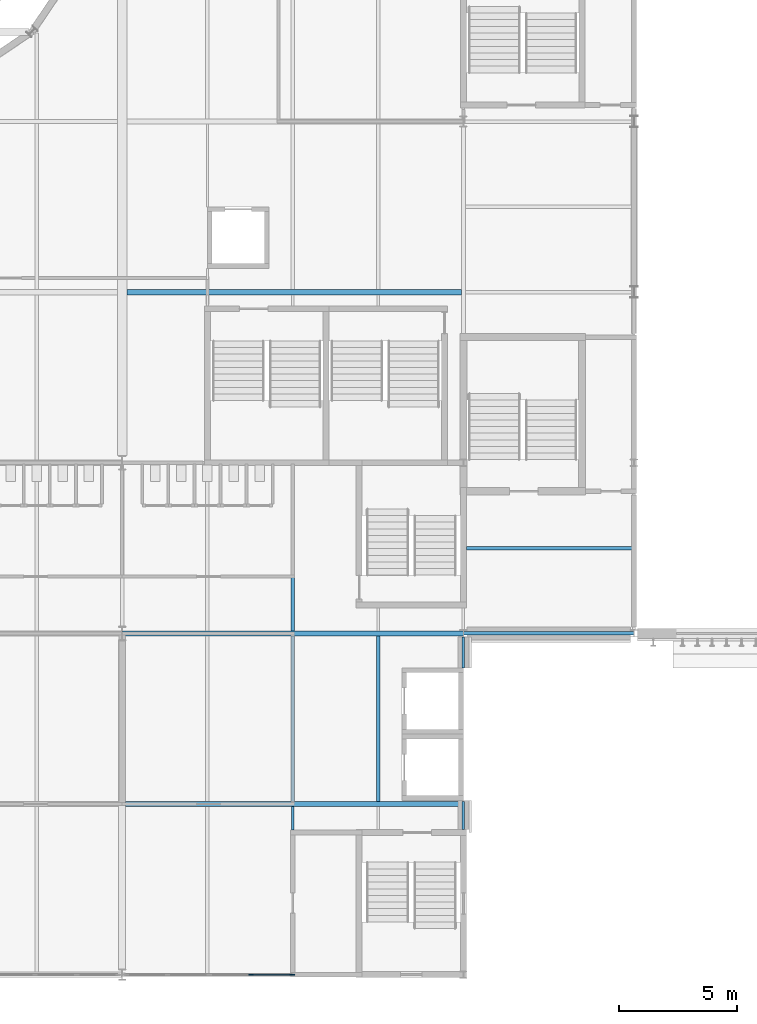
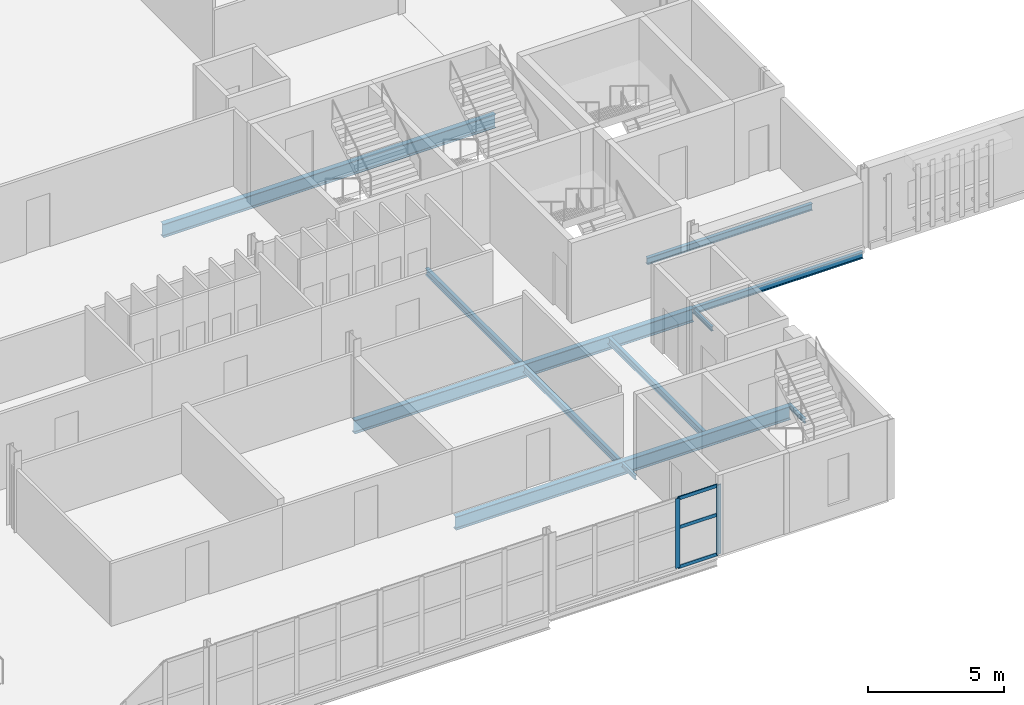
# One storey, part 37 of 124: 11 beams, 5 members, 1 element without a shape of its own.
"""IFC4 building model written with IfcOpenShell, lengths in metres."""

from ifc_helpers import new_model, si_unit, direction, frame, origin, origin_2d, place, context, subcontext, project, spatial, rectangle, i_section, extrude, material, material_profile, profile_set, type_object, element, aggregate, save


model = new_model("IFC4")

# Units and contexts
model_context = context("Model", 3, precision=1e-05, world=origin(), true_north=direction((0.0, 1.0)))
body_context = subcontext(model_context, "Body", "Model", "MODEL_VIEW")
ifc_project = project(units=[si_unit("LENGTHUNIT", "METRE"), si_unit("AREAUNIT", "SQUARE_METRE"), si_unit("VOLUMEUNIT", "CUBIC_METRE"), si_unit("PLANEANGLEUNIT", "RADIAN"), si_unit("MASSUNIT", "GRAM", prefix="KILO")], contexts=[model_context])

# Site, building, storey
site_placement = place(None, origin())
site = spatial("IfcSite", under=ifc_project, at=site_placement, CompositionType="ELEMENT")
building_placement = place(site_placement, origin())
building = spatial("IfcBuilding", under=site, at=building_placement, Name="Kupolbacken Congress Centre", CompositionType="ELEMENT")
storey_placement = place(building_placement, frame((0.0, 0.0, 10.800048828125)))
storey = spatial("IfcBuildingStorey", under=building, at=storey_placement, Name="L03", CompositionType="ELEMENT", Elevation=10.800048828125)

# Beams
ifc_material_1 = material(Name="Steel S355", Category="steel")
ifc_material_profile_1 = material_profile(ifc_material_1, i_section(OverallWidth=0.10009765625, OverallDepth=0.199951171875, WebThickness=0.005615234375, FlangeThickness=0.008544921875, FilletRadius=0.011962890625, at=origin_2d()), Name="IPE 200")
ifc_profile_set_1 = profile_set([ifc_material_profile_1], Name="Steel S355")
beam_type_1 = type_object("IfcBeamType", Name="B01 beam IPE 200", PredefinedType="BEAM", material=ifc_profile_set_1)
beam_1_placement = place(storey_placement, frame((79.199951171875, 34.925048828125, -0.280029296875), z_axis=(0.0, 1.0, 0.0), x_axis=(-1.0, 0.0, 0.0)))
element("IfcBeam", 1, at=beam_1_placement, inside=storey, type_object=beam_type_1, Name="S/floor/F/L03/G012", PredefinedType="BEAM", context=body_context, shape_type="SweptSolid", body=[
    extrude(i_section(OverallWidth=0.10009765625, OverallDepth=0.199951171875, WebThickness=0.005615234375, FlangeThickness=0.008544921875, FilletRadius=0.011962890625, at=origin_2d()), origin(), (0.0, 0.0, 1.0), 1.184814453125),
])
beam_2_placement = place(storey_placement, frame((79.199951171875, 41.75, -0.280029296875), z_axis=(0.0, 1.0, 0.0), x_axis=(-1.0, 0.0, 0.0)))
element("IfcBeam", 2, at=beam_2_placement, inside=storey, type_object=beam_type_1, Name="S/floor/F/L03/G013", PredefinedType="BEAM", context=body_context, shape_type="SweptSolid", body=[
    extrude(i_section(OverallWidth=0.10009765625, OverallDepth=0.199951171875, WebThickness=0.005615234375, FlangeThickness=0.008544921875, FilletRadius=0.011962890625, at=origin_2d()), origin(), (0.0, 0.0, 1.0), 1.300048828125),
])
beam_3_placement = place(storey_placement, frame((72.0, 34.89990234375, -0.280029296875), z_axis=(0.0, 1.0, 0.0), x_axis=(-1.0, 0.0, 0.0)))
element("IfcBeam", 3, at=beam_3_placement, inside=storey, type_object=beam_type_1, Name="S/floor/F/L03/S078", PredefinedType="BEAM", context=body_context, shape_type="SweptSolid", body=[
    extrude(i_section(OverallWidth=0.10009765625, OverallDepth=0.199951171875, WebThickness=0.005615234375, FlangeThickness=0.008544921875, FilletRadius=0.011962890625, at=origin_2d()), origin(), (0.0, 0.0, 1.0), 0.989990234375),
])
ifc_material_2 = material(Name="Steel S355", Category="steel")
ifc_material_profile_2 = material_profile(ifc_material_2, i_section(OverallWidth=0.14990234375, OverallDepth=0.300048828125, WebThickness=0.007080078125, FlangeThickness=0.0107421875, FilletRadius=0.014892578125, at=origin_2d()), Name="IPE 300")
ifc_profile_set_2 = profile_set([ifc_material_profile_2], Name="Steel S355")
beam_type_2 = type_object("IfcBeamType", Name="B04 beam IPE 300", PredefinedType="BEAM", material=ifc_profile_set_2)
beam_4_placement = place(storey_placement, frame((72.0, 36.110107421875, -0.330078125), z_axis=(0.0, 1.0, 0.0), x_axis=(-1.0, 0.0, 0.0)))
element("IfcBeam", 4, at=beam_4_placement, inside=storey, type_object=beam_type_2, Name="S/floor/F/L03/S079", PredefinedType="BEAM", context=body_context, shape_type="SweptSolid", body=[
    extrude(i_section(OverallWidth=0.14990234375, OverallDepth=0.300048828125, WebThickness=0.007080078125, FlangeThickness=0.0107421875, FilletRadius=0.014892578125, at=origin_2d()), origin(), (0.0, 0.0, 1.0), 6.97998046875),
])
beam_5_placement = place(storey_placement, frame((72.0, 43.31005859375, -0.330078125), z_axis=(0.0, 1.0, 0.0), x_axis=(-1.0, 0.0, 0.0)))
element("IfcBeam", 5, at=beam_5_placement, inside=storey, type_object=beam_type_2, Name="S/floor/F/L03/S080", PredefinedType="BEAM", context=body_context, shape_type="SweptSolid", body=[
    extrude(i_section(OverallWidth=0.14990234375, OverallDepth=0.300048828125, WebThickness=0.007080078125, FlangeThickness=0.0107421875, FilletRadius=0.014892578125, at=origin_2d()), origin(), (0.0, 0.0, 1.0), 6.96484375),
])
beam_6_placement = place(storey_placement, frame((75.60009765625, 36.110107421875, -0.330078125), z_axis=(0.0, 1.0, 0.0), x_axis=(-1.0, 0.0, 0.0)))
element("IfcBeam", 6, at=beam_6_placement, inside=storey, type_object=beam_type_2, Name="S/floor/F/L03/S082", PredefinedType="BEAM", context=body_context, shape_type="SweptSolid", body=[
    extrude(i_section(OverallWidth=0.14990234375, OverallDepth=0.300048828125, WebThickness=0.007080078125, FlangeThickness=0.0107421875, FilletRadius=0.014892578125, at=origin_2d()), origin(), (0.0, 0.0, 1.0), 6.97998046875),
])
beam_7_placement = place(storey_placement, frame((79.20556640625, 43.199951171875, -0.330078125), z_axis=(1.0, 0.0, 0.0), x_axis=(0.0, 1.0, 0.0)))
element("IfcBeam", 7, at=beam_7_placement, inside=storey, type_object=beam_type_2, Name="S/floor/LINK/L03/R010", PredefinedType="BEAM", context=body_context, shape_type="SweptSolid", body=[
    extrude(i_section(OverallWidth=0.14990234375, OverallDepth=0.300048828125, WebThickness=0.007080078125, FlangeThickness=0.0107421875, FilletRadius=0.014892578125, at=origin_2d()), origin(), (0.0, 0.0, 1.0), 7.190185546875),
])
beam_8_placement = place(storey_placement, frame((79.324951171875, 46.800048828125, -0.330078125), z_axis=(1.0, 0.0, 0.0), x_axis=(0.0, 1.0, 0.0)))
element("IfcBeam", 8, at=beam_8_placement, inside=storey, type_object=beam_type_2, Name="S/floor/LINK/L03/R011", PredefinedType="BEAM", context=body_context, shape_type="SweptSolid", body=[
    extrude(i_section(OverallWidth=0.14990234375, OverallDepth=0.300048828125, WebThickness=0.007080078125, FlangeThickness=0.0107421875, FilletRadius=0.014892578125, at=origin_2d()), origin(), (0.0, 0.0, 1.0), 7.007568359375),
])
ifc_material_3 = material(Name="Steel S355", Category="steel")
ifc_material_profile_3 = material_profile(ifc_material_3, i_section(OverallWidth=0.219970703125, OverallDepth=0.60009765625, WebThickness=0.011962890625, FlangeThickness=0.01904296875, FilletRadius=0.02392578125, at=origin_2d()), Name="IPE 600")
ifc_profile_set_3 = profile_set([ifc_material_profile_3], Name="Steel S355")
beam_type_3 = type_object("IfcBeamType", Name="B11 beam IPE 600", PredefinedType="BEAM", material=ifc_profile_set_3)
beam_9_placement = place(storey_placement, frame((64.807861328125, 43.199951171875, -0.47998046875), z_axis=(1.0, 0.0, 0.0), x_axis=(0.0, 1.0, 0.0)))
element("IfcBeam", 9, at=beam_9_placement, inside=storey, type_object=beam_type_3, Name="S/floor/F/L03/R024", PredefinedType="BEAM", context=body_context, shape_type="SweptSolid", body=[
    extrude(i_section(OverallWidth=0.219970703125, OverallDepth=0.60009765625, WebThickness=0.011962890625, FlangeThickness=0.01904296875, FilletRadius=0.02392578125, at=origin_2d()), origin(), (0.0, 0.0, 1.0), 14.38671875),
])
beam_10_placement = place(storey_placement, frame((64.949951171875, 36.0, -0.47998046875), z_axis=(1.0, 0.0, 0.0), x_axis=(0.0, 1.0, 0.0)))
element("IfcBeam", 10, at=beam_10_placement, inside=storey, type_object=beam_type_3, Name="S/floor/F/L03/R039", PredefinedType="BEAM", context=body_context, shape_type="SweptSolid", body=[
    extrude(i_section(OverallWidth=0.219970703125, OverallDepth=0.60009765625, WebThickness=0.011962890625, FlangeThickness=0.01904296875, FilletRadius=0.02392578125, at=origin_2d()), origin(), (0.0, 0.0, 1.0), 14.199951171875),
])
beam_11_placement = place(storey_placement, frame((65.0, 57.60009765625, -0.47998046875), z_axis=(1.0, 0.0, 0.0), x_axis=(0.0, 1.0, 0.0)))
element("IfcBeam", 11, at=beam_11_placement, inside=storey, type_object=beam_type_3, Name="S/floor/P/L03/R042", PredefinedType="BEAM", context=body_context, shape_type="SweptSolid", body=[
    extrude(i_section(OverallWidth=0.219970703125, OverallDepth=0.60009765625, WebThickness=0.011962890625, FlangeThickness=0.01904296875, FilletRadius=0.02392578125, at=origin_2d()), origin(), (0.0, 0.0, 1.0), 14.110107421875),
])

# Curtain wall, members
ifc_material_4 = material(Name="Aluminium mullion-transom frame with glass", Category="aluminium")
curtain_wall_type = type_object("IfcCurtainWallType", Name="CW1 curtain wall 7200x3600", PredefinedType="NOTDEFINED", material=ifc_material_4)
curtain_wall_placement = place(storey_placement, origin())
curtain_wall = element("IfcCurtainWall", 12, at=curtain_wall_placement, inside=storey, type_object=curtain_wall_type, Name="E/F/S/L03/335", PredefinedType="NOTDEFINED")
ifc_material_5 = material(Name="Aluminium alloy", Category="aluminium")
ifc_material_profile_4 = material_profile(ifc_material_5, rectangle(XDim=0.050048828125, YDim=0.199951171875, at=origin_2d()), Name="50 x 200")
ifc_profile_set_4 = profile_set([ifc_material_profile_4], Name="Aluminium alloy")
member_type_1 = type_object("IfcMemberType", Name="MU2 mullion 50x200", PredefinedType="MULLION", material=ifc_profile_set_4)
member_1_placement = place(storey_placement, frame((70.237548828125, 28.800048828125, 0.0), z_axis=(0.0, 0.0, 1.0), x_axis=(0.0, 1.0, 0.0)))
member_1 = element("IfcMember", 13, at=member_1_placement, type_object=member_type_1, Name="CW1 mullion 4", PredefinedType="MULLION", context=body_context, shape_type="SweptSolid", body=[
    extrude(rectangle(XDim=0.050048828125, YDim=0.199951171875, at=origin_2d()), origin(), (0.0, 0.0, 1.0), 3.119873046875),
])
member_2_placement = place(storey_placement, frame((71.97509765625, 28.800048828125, 0.0), z_axis=(0.0, 0.0, 1.0), x_axis=(0.0, 1.0, 0.0)))
member_2 = element("IfcMember", 14, at=member_2_placement, type_object=member_type_1, Name="CW1 mullion 5", PredefinedType="MULLION", context=body_context, shape_type="SweptSolid", body=[
    extrude(rectangle(XDim=0.050048828125, YDim=0.199951171875, at=origin_2d()), origin(), (0.0, 0.0, 1.0), 3.119873046875),
])
ifc_material_6 = material(Name="Aluminium alloy", Category="aluminium")
ifc_material_profile_5 = material_profile(ifc_material_6, rectangle(XDim=0.050048828125, YDim=0.14990234375, at=origin_2d()), Name="50 x 150")
ifc_profile_set_5 = profile_set([ifc_material_profile_5], Name="Aluminium alloy")
member_type_2 = type_object("IfcMemberType", Name="TR2 transom 50x150", PredefinedType="MULLION", material=ifc_profile_set_5)
member_3_placement = place(storey_placement, frame((70.262451171875, 28.800048828125, 0.02490234375), z_axis=(1.0, 0.0, 0.0), x_axis=(0.0, 1.0, 0.0)))
member_3 = element("IfcMember", 15, at=member_3_placement, type_object=member_type_2, Name="CW1 transom 4.1", PredefinedType="MULLION", context=body_context, shape_type="SweptSolid", body=[
    extrude(rectangle(XDim=0.050048828125, YDim=0.14990234375, at=origin_2d()), origin(), (0.0, 0.0, 1.0), 1.6875),
])
member_4_placement = place(storey_placement, frame((70.262451171875, 28.800048828125, 1.800048828125), z_axis=(1.0, 0.0, 0.0), x_axis=(0.0, 1.0, 0.0)))
member_4 = element("IfcMember", 16, at=member_4_placement, type_object=member_type_2, Name="CW1 transom 4.2", PredefinedType="MULLION", context=body_context, shape_type="SweptSolid", body=[
    extrude(rectangle(XDim=0.050048828125, YDim=0.14990234375, at=origin_2d()), origin(), (0.0, 0.0, 1.0), 1.6875),
])
member_5_placement = place(storey_placement, frame((70.262451171875, 28.800048828125, 3.094970703125), z_axis=(1.0, 0.0, 0.0), x_axis=(0.0, 1.0, 0.0)))
member_5 = element("IfcMember", 17, at=member_5_placement, type_object=member_type_2, Name="CW1 transom 4.3", PredefinedType="MULLION", context=body_context, shape_type="SweptSolid", body=[
    extrude(rectangle(XDim=0.050048828125, YDim=0.14990234375, at=origin_2d()), origin(), (0.0, 0.0, 1.0), 1.6875),
])
aggregate(curtain_wall, [member_1, member_2, member_3, member_4, member_5])

save(model, "model.ifc")
